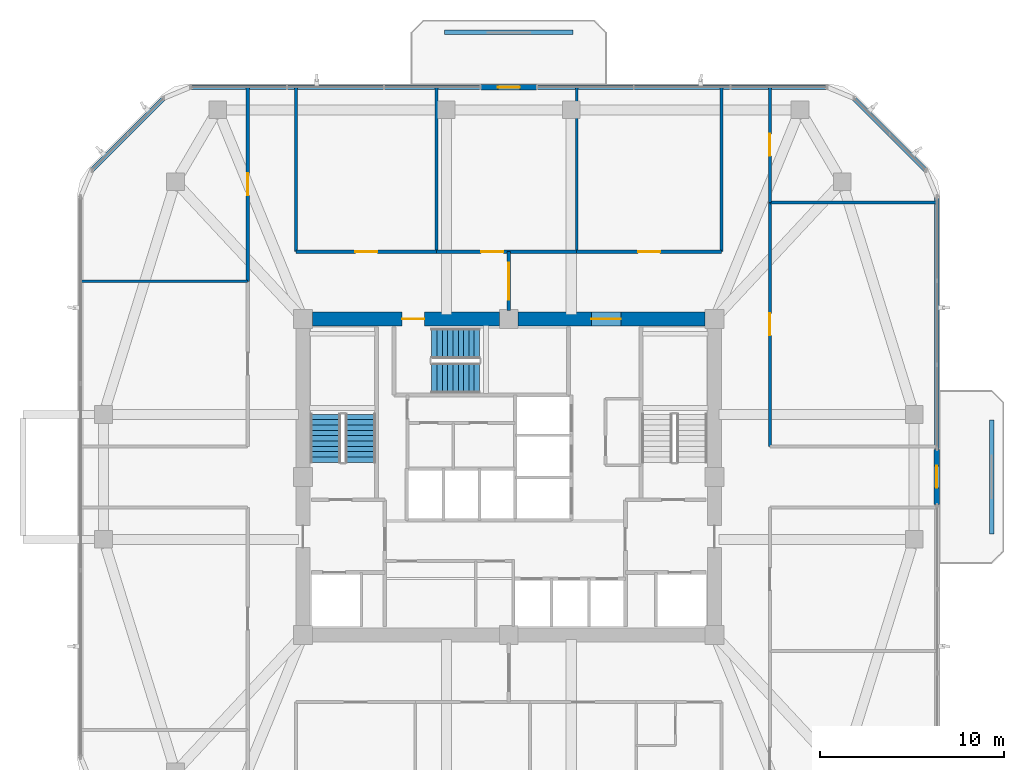
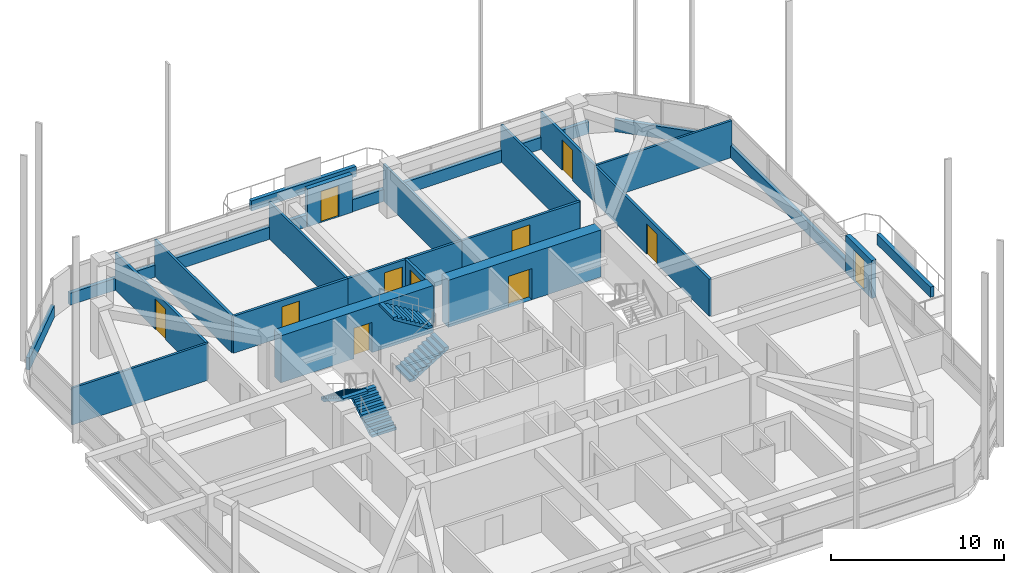
# One storey, part 10 of 14: 24 walls, 11 doors, 4 stair flights, 11 openings, 2 elements without a shape of their own.
"""IFC4 building model written with IfcOpenShell, lengths in metres."""

from ifc_helpers import new_model, si_unit, derived_unit, direction, frame, frame_2d, origin, place, context, subcontext, project, spatial, polyline, rectangle, outline, extrude, material, layer, layer_set, type_object, element, fill, aggregate, save


model = new_model("IFC4")

# Units and contexts
model_context = context("Model", 3, precision=1e-05, world=origin(), true_north=direction((0.0, 1.0)))
body_context = subcontext(model_context, "Body", "Model", "MODEL_VIEW")
ifc_project = project(units=[si_unit("LENGTHUNIT", "METRE"), si_unit("AREAUNIT", "SQUARE_METRE"), si_unit("VOLUMEUNIT", "CUBIC_METRE"), si_unit("PLANEANGLEUNIT", "RADIAN"), si_unit("MASSUNIT", "GRAM", prefix="KILO"), derived_unit("THERMALTRANSMITTANCEUNIT", [(si_unit("POWERUNIT", "WATT"), 1), (si_unit("LENGTHUNIT", "METRE"), -2), (si_unit("THERMODYNAMICTEMPERATUREUNIT", "KELVIN"), -1)])], contexts=[model_context])

# Site, building, storey
site_placement = place(None, origin())
site = spatial("IfcSite", under=ifc_project, at=site_placement, CompositionType="ELEMENT")
building_placement = place(site_placement, origin())
building = spatial("IfcBuilding", under=site, at=building_placement, Name="Koralith Skygarden Medical Center", CompositionType="ELEMENT")
storey_placement = place(building_placement, frame((0.0, 0.0, 160.02001953125)))
storey = spatial("IfcBuildingStorey", under=building, at=storey_placement, Name="L41", CompositionType="ELEMENT", Elevation=160.02001953125)

# Walls
ifc_material_1 = material(Name="Gypsum Board Partition")
ifc_layer_1 = layer(ifc_material_1, 0.14990234375)
ifc_layer_set_1 = layer_set([ifc_layer_1], Name="Gypsum Board Partition")
wall_type_1 = type_object("IfcWallType", Name="Clinical Acoustic Partition 150", PredefinedType="PARTITIONING", material=ifc_layer_set_1)
for number, where, z_axis, x_axis, name in (
    (1, (33.070068359375, 38.159912109375, 0.0), (0.0, 0.0, 1.0), (0.0, 1.0, 0.0), "L41 Clinical Acoustic Partition 150 W-PART-L41-N-01"),
    (2, (40.698974609375, 38.159912109375, 0.0), (0.0, 0.0, 1.0), (0.0, 1.0, 0.0), "L41 Clinical Acoustic Partition 150 W-PART-L41-N-02"),
):
    element("IfcWall", number, at=place(storey_placement, frame(where, z_axis=z_axis, x_axis=x_axis)), inside=storey, type_object=wall_type_1, Name=name, PredefinedType="PARTITIONING", context=body_context, shape_type="SweptSolid", body=[
        extrude(rectangle(XDim=8.940185546875, YDim=0.14990234375, at=frame_2d((4.47021484375, 0.0))), origin(), (0.0, 0.0, 1.0), 2.60986328125),
    ])
for number, where, z_axis, x_axis, name in (
    (3, (22.7900390625, 36.548095703125, 0.0), (0.0, 0.0, 1.0), (-1.0, 0.0, 0.0), "L41 Clinical Acoustic Partition 150 W-PART-L41-WN-01"),
    (4, (51.2099609375, 40.846923828125, 0.0), (0.0, 0.0, 1.0), (1.0, 0.0, 0.0), "L41 Clinical Acoustic Partition 150 W-PART-L41-EN-01"),
):
    element("IfcWall", number, at=place(storey_placement, frame(where, z_axis=z_axis, x_axis=x_axis)), inside=storey, type_object=wall_type_1, Name=name, PredefinedType="PARTITIONING", context=body_context, shape_type="SweptSolid", body=[
        extrude(rectangle(XDim=9.073974609375, YDim=0.14990234375, at=frame_2d((4.537109375, 0.0))), origin(), (0.0, 0.0, 1.0), 2.60986328125),
    ])
ifc_layer_2 = layer(ifc_material_1, 0.1650390625)
ifc_layer_set_2 = layer_set([ifc_layer_2], Name="Gypsum Board Partition")
wall_type_2 = type_object("IfcWallType", Name="Clinical Corridor Partition 165", PredefinedType="PARTITIONING", material=ifc_layer_set_2)
for number, where, z_axis, x_axis, name in (
    (5, (25.429931640625, 38.159912109375, 0.0), (0.0, 0.0, 1.0), (0.0, 1.0, 0.0), "L41 Clinical Corridor Partition 165 W-HCOR-L41-NW"),
    (6, (48.570068359375, 38.159912109375, 0.0), (0.0, 0.0, 1.0), (0.0, 1.0, 0.0), "L41 Clinical Corridor Partition 165 W-HCOR-L41-NE"),
):
    element("IfcWall", number, at=place(storey_placement, frame(where, z_axis=z_axis, x_axis=x_axis)), inside=storey, type_object=wall_type_2, Name=name, PredefinedType="PARTITIONING", context=body_context, shape_type="SweptSolid", body=[
        extrude(rectangle(XDim=8.940185546875, YDim=0.1650390625, at=frame_2d((4.47021484375, 0.0))), origin(), (0.0, 0.0, 1.0), 2.60986328125),
    ])

# Wall, opening, door
wall_1_placement = place(storey_placement, frame((25.429931640625, 38.159912109375, 0.0), z_axis=(0.0, 0.0, 1.0), x_axis=(1.0, 0.0, 0.0)))
wall_1 = element("IfcWall", 7, at=wall_1_placement, inside=storey, type_object=wall_type_2, Name="L41 Clinical Corridor Partition 165 W-CORR-L41-N-01", PredefinedType="PARTITIONING", context=body_context, shape_type="SweptSolid", body=[
    extrude(rectangle(XDim=7.64013671875, YDim=0.1650390625, at=frame_2d((3.820068359375, 0.0))), origin(), (0.0, 0.0, 1.0), 2.60986328125),
])
opening_1_placement = place(wall_1_placement, frame((3.219970703125, 0.0, 0.0)))
opening_1 = element("IfcOpeningElement", 8, at=opening_1_placement, cuts=wall_1, Name="Opening D-CLN", PredefinedType="OPENING", context=body_context, shape_type="SweptSolid", body=[
    extrude(rectangle(XDim=1.199951171875, YDim=2.14990234375, at=frame_2d((0.60009765625, 1.074951171875))), frame((0.0, 0.092529296875, 0.0), z_axis=(0.0, -1.0, 0.0), x_axis=(1.0, 0.0, 0.0)), (0.0, 0.0, 1.0), 0.18505859375),
])
ifc_material_2 = material(Name="Aluminium 6063-T6", Category="aluminium")
door_type_1 = type_object("IfcDoorType", Name="Clinical Corridor Door D-CLN 1200", OperationType="NOTDEFINED", PredefinedType="DOOR", material=ifc_material_2)
door_1_placement = place(opening_1_placement, origin())
door_1 = element("IfcDoor", 9, at=door_1_placement, inside=storey, type_object=door_type_1, Name="L41 Maternal Fetal Family Lounge 01 Door", OperationType="SINGLE_SWING_RIGHT", OverallHeight=2.14990234375, OverallWidth=1.199951171875, PredefinedType="DOOR", context=body_context, shape_type="SweptSolid", body=[
    extrude(rectangle(XDim=1.199951171875, YDim=2.14990234375, at=frame_2d((0.60009765625, 1.074951171875))), frame((0.0, 0.02490234375, 0.0), z_axis=(0.0, -1.0, 0.0), x_axis=(1.0, 0.0, 0.0)), (0.0, 0.0, 1.0), 0.050048828125),
])
fill(opening_1, door_1)

wall_2_placement = place(storey_placement, frame((33.070068359375, 38.159912109375, 0.0), z_axis=(0.0, 0.0, 1.0), x_axis=(1.0, 0.0, 0.0)))
wall_2 = element("IfcWall", 10, at=wall_2_placement, inside=storey, type_object=wall_type_2, Name="L41 Clinical Corridor Partition 165 W-CORR-L41-N-02", PredefinedType="PARTITIONING", context=body_context, shape_type="SweptSolid", body=[
    extrude(rectangle(XDim=7.62890625, YDim=0.1650390625, at=frame_2d((3.814453125, 0.0))), origin(), (0.0, 0.0, 1.0), 2.60986328125),
])
opening_2_placement = place(wall_2_placement, frame((2.430908203125, 0.0, 0.0)))
opening_2 = element("IfcOpeningElement", 11, at=opening_2_placement, cuts=wall_2, Name="Opening D-CLN", PredefinedType="OPENING", context=body_context, shape_type="SweptSolid", body=[
    extrude(rectangle(XDim=1.199951171875, YDim=2.14990234375, at=frame_2d((0.60009765625, 1.074951171875))), frame((0.0, 0.092529296875, 0.0), z_axis=(0.0, -1.0, 0.0), x_axis=(1.0, 0.0, 0.0)), (0.0, 0.0, 1.0), 0.18505859375),
])
door_2_placement = place(opening_2_placement, origin())
door_2 = element("IfcDoor", 12, at=door_2_placement, inside=storey, type_object=door_type_1, Name="L41 Patient and Family Sky-Garden Day Lounge 02 Door", OperationType="SINGLE_SWING_LEFT", OverallHeight=2.14990234375, OverallWidth=1.199951171875, PredefinedType="DOOR", context=body_context, shape_type="SweptSolid", body=[
    extrude(rectangle(XDim=1.199951171875, YDim=2.14990234375, at=frame_2d((0.60009765625, 1.074951171875))), frame((0.0, 0.02490234375, 0.0), z_axis=(0.0, -1.0, 0.0), x_axis=(1.0, 0.0, 0.0)), (0.0, 0.0, 1.0), 0.050048828125),
])
fill(opening_2, door_2)

wall_3_placement = place(storey_placement, frame((40.698974609375, 38.159912109375, 0.0), z_axis=(0.0, 0.0, 1.0), x_axis=(1.0, 0.0, 0.0)))
wall_3 = element("IfcWall", 13, at=wall_3_placement, inside=storey, type_object=wall_type_2, Name="L41 Clinical Corridor Partition 165 W-CORR-L41-N-03", PredefinedType="PARTITIONING", context=body_context, shape_type="SweptSolid", body=[
    extrude(rectangle(XDim=7.87109375, YDim=0.1650390625, at=frame_2d((3.935546875, 0.0))), origin(), (0.0, 0.0, 1.0), 2.60986328125),
])
opening_3_placement = place(wall_3_placement, frame((3.3359375, 0.0, 0.0)))
opening_3 = element("IfcOpeningElement", 14, at=opening_3_placement, cuts=wall_3, Name="Opening D-CLN", PredefinedType="OPENING", context=body_context, shape_type="SweptSolid", body=[
    extrude(rectangle(XDim=1.199951171875, YDim=2.14990234375, at=frame_2d((0.60009765625, 1.074951171875))), frame((0.0, 0.092529296875, 0.0), z_axis=(0.0, -1.0, 0.0), x_axis=(1.0, 0.0, 0.0)), (0.0, 0.0, 1.0), 0.18505859375),
])
door_3_placement = place(opening_3_placement, origin())
door_3 = element("IfcDoor", 15, at=door_3_placement, inside=storey, type_object=door_type_1, Name="L41 Perinatal Ultrasound Exam Room 03 Door", OperationType="SINGLE_SWING_RIGHT", OverallHeight=2.14990234375, OverallWidth=1.199951171875, PredefinedType="DOOR", context=body_context, shape_type="SweptSolid", body=[
    extrude(rectangle(XDim=1.199951171875, YDim=2.14990234375, at=frame_2d((0.60009765625, 1.074951171875))), frame((0.0, 0.02490234375, 0.0), z_axis=(0.0, -1.0, 0.0), x_axis=(1.0, 0.0, 0.0)), (0.0, 0.0, 1.0), 0.050048828125),
])
fill(opening_3, door_3)

wall_4_placement = place(storey_placement, frame((22.7900390625, 36.548095703125, 0.0), z_axis=(0.0, 0.0, 1.0), x_axis=(0.0, 1.0, 0.0)))
wall_4 = element("IfcWall", 16, at=wall_4_placement, inside=storey, type_object=wall_type_2, Name="L41 Clinical Corridor Partition 165 W-CORR-L41-WN-02", PredefinedType="PARTITIONING", context=body_context, shape_type="SweptSolid", body=[
    extrude(rectangle(XDim=10.552001953125, YDim=0.1650390625, at=frame_2d((5.27587890625, 0.0))), origin(), (0.0, 0.0, 1.0), 2.60986328125),
])
opening_4_placement = place(wall_4_placement, frame((4.676025390625, 0.0, 0.0)))
opening_4 = element("IfcOpeningElement", 17, at=opening_4_placement, cuts=wall_4, Name="Opening D-CLN", PredefinedType="OPENING", context=body_context, shape_type="SweptSolid", body=[
    extrude(rectangle(XDim=1.199951171875, YDim=2.14990234375, at=frame_2d((0.60009765625, 1.074951171875))), frame((0.0, 0.092529296875, 0.0), z_axis=(0.0, -1.0, 0.0), x_axis=(1.0, 0.0, 0.0)), (0.0, 0.0, 1.0), 0.18505859375),
])
door_4_placement = place(opening_4_placement, frame((1.199951171875, 0.0, 0.0), z_axis=(0.0, 0.0, 1.0), x_axis=(-1.0, 0.0, 0.0)))
door_4 = element("IfcDoor", 18, at=door_4_placement, inside=storey, type_object=door_type_1, Name="L41 Maternal Fetal Family Lounge 11 Door", OperationType="SINGLE_SWING_RIGHT", OverallHeight=2.14990234375, OverallWidth=1.199951171875, PredefinedType="DOOR", context=body_context, shape_type="SweptSolid", body=[
    extrude(rectangle(XDim=1.199951171875, YDim=2.14990234375, at=frame_2d((0.60009765625, 1.074951171875))), frame((0.0, 0.02490234375, 0.0), z_axis=(0.0, -1.0, 0.0), x_axis=(1.0, 0.0, 0.0)), (0.0, 0.0, 1.0), 0.050048828125),
])
fill(opening_4, door_4)

wall_5_placement = place(storey_placement, frame((51.2099609375, 27.56005859375, 0.0), z_axis=(0.0, 0.0, 1.0), x_axis=(0.0, 1.0, 0.0)))
wall_5 = element("IfcWall", 19, at=wall_5_placement, inside=storey, type_object=wall_type_2, Name="L41 Clinical Corridor Partition 165 W-CORR-L41-EN-01", PredefinedType="PARTITIONING", context=body_context, shape_type="SweptSolid", body=[
    extrude(rectangle(XDim=13.286865234375, YDim=0.1650390625, at=frame_2d((6.6435546875, 0.0))), origin(), (0.0, 0.0, 1.0), 2.60986328125),
])
opening_5_placement = place(wall_5_placement, frame((6.0439453125, 0.0, 0.0)))
opening_5 = element("IfcOpeningElement", 20, at=opening_5_placement, cuts=wall_5, Name="Opening D-CLN", PredefinedType="OPENING", context=body_context, shape_type="SweptSolid", body=[
    extrude(rectangle(XDim=1.199951171875, YDim=2.14990234375, at=frame_2d((0.60009765625, 1.074951171875))), frame((0.0, 0.092529296875, 0.0), z_axis=(0.0, -1.0, 0.0), x_axis=(1.0, 0.0, 0.0)), (0.0, 0.0, 1.0), 0.18505859375),
])
door_5_placement = place(opening_5_placement, origin())
door_5 = element("IfcDoor", 21, at=door_5_placement, inside=storey, type_object=door_type_1, Name="L41 Clean Nursery Supply Store 14 Door", OperationType="SINGLE_SWING_LEFT", OverallHeight=2.14990234375, OverallWidth=1.199951171875, PredefinedType="DOOR", context=body_context, shape_type="SweptSolid", body=[
    extrude(rectangle(XDim=1.199951171875, YDim=2.14990234375, at=frame_2d((0.60009765625, 1.074951171875))), frame((0.0, 0.02490234375, 0.0), z_axis=(0.0, -1.0, 0.0), x_axis=(1.0, 0.0, 0.0)), (0.0, 0.0, 1.0), 0.050048828125),
])
fill(opening_5, door_5)

wall_6_placement = place(storey_placement, frame((51.2099609375, 40.846923828125, 0.0), z_axis=(0.0, 0.0, 1.0), x_axis=(0.0, 1.0, 0.0)))
wall_6 = element("IfcWall", 22, at=wall_6_placement, inside=storey, type_object=wall_type_2, Name="L41 Clinical Corridor Partition 165 W-CORR-L41-EN-02", PredefinedType="PARTITIONING", context=body_context, shape_type="SweptSolid", body=[
    extrude(rectangle(XDim=6.253173828125, YDim=0.1650390625, at=frame_2d((3.12646484375, 0.0))), origin(), (0.0, 0.0, 1.0), 2.60986328125),
])
opening_6_placement = place(wall_6_placement, frame((2.52587890625, 0.0, 0.0)))
opening_6 = element("IfcOpeningElement", 23, at=opening_6_placement, cuts=wall_6, Name="Opening D-CLN", PredefinedType="OPENING", context=body_context, shape_type="SweptSolid", body=[
    extrude(rectangle(XDim=1.199951171875, YDim=2.14990234375, at=frame_2d((0.60009765625, 1.074951171875))), frame((0.0, 0.092529296875, 0.0), z_axis=(0.0, -1.0, 0.0), x_axis=(1.0, 0.0, 0.0)), (0.0, 0.0, 1.0), 0.18505859375),
])
door_6_placement = place(opening_6_placement, origin())
door_6 = element("IfcDoor", 24, at=door_6_placement, inside=storey, type_object=door_type_1, Name="L41 Maternal Fetal Family Lounge 15 Door", OperationType="SINGLE_SWING_RIGHT", OverallHeight=2.14990234375, OverallWidth=1.199951171875, PredefinedType="DOOR", context=body_context, shape_type="SweptSolid", body=[
    extrude(rectangle(XDim=1.199951171875, YDim=2.14990234375, at=frame_2d((0.60009765625, 1.074951171875))), frame((0.0, 0.02490234375, 0.0), z_axis=(0.0, -1.0, 0.0), x_axis=(1.0, 0.0, 0.0)), (0.0, 0.0, 1.0), 0.050048828125),
])
fill(opening_6, door_6)

ifc_layer_3 = layer(ifc_material_1, 0.179931640625)
ifc_layer_set_3 = layer_set([ifc_layer_3], Name="Gypsum Board Partition")
wall_type_3 = type_object("IfcWallType", Name="Group I-2 Smoke Barrier Wall 180", PredefinedType="PARTITIONING", material=ifc_layer_set_3)
wall_7_placement = place(storey_placement, frame((37.0, 34.949951171875, 0.0), z_axis=(0.0, 0.0, 1.0), x_axis=(0.0, 1.0, 0.0)))
wall_7 = element("IfcWall", 25, at=wall_7_placement, inside=storey, type_object=wall_type_3, Name="L41 Group I-2 Smoke Barrier Wall 180 W-SMK-L41-N", PredefinedType="PARTITIONING", context=body_context, shape_type="SweptSolid", body=[
    extrude(rectangle(XDim=3.2099609375, YDim=0.179931640625, at=frame_2d((1.60498046875, 0.0))), origin(), (0.0, 0.0, 1.0), 2.60986328125),
])
opening_7_placement = place(wall_7_placement, frame((0.60498046875, 0.0, 0.0)))
opening_7 = element("IfcOpeningElement", 26, at=opening_7_placement, cuts=wall_7, Name="Opening D-SMK", PredefinedType="OPENING", context=body_context, shape_type="SweptSolid", body=[
    extrude(rectangle(XDim=2.0, YDim=2.199951171875, at=frame_2d((1.0, 1.10009765625))), frame((0.0, 0.099853515625, 0.0), z_axis=(0.0, -1.0, 0.0), x_axis=(1.0, 0.0, 0.0)), (0.0, 0.0, 1.0), 0.199951171875),
])
ifc_material_3 = material(Name="Steel ASTM A500 Grade C", Category="steel")
door_type_2 = type_object("IfcDoorType", Name="Cross-Corridor Double Smoke Door FD60S 2000", OperationType="NOTDEFINED", PredefinedType="DOOR", material=ifc_material_3)
door_7_placement = place(opening_7_placement, origin())
door_7 = element("IfcDoor", 27, at=door_7_placement, inside=storey, type_object=door_type_2, Name="L41 N Smoke Compartment Cross-Corridor Door", OperationType="DOUBLE_DOOR_SINGLE_SWING", OverallHeight=2.199951171875, OverallWidth=2.0, PredefinedType="DOOR", context=body_context, shape_type="SweptSolid", body=[
    extrude(rectangle(XDim=2.0, YDim=2.199951171875, at=frame_2d((1.0, 1.10009765625))), frame((0.0, 0.02490234375, 0.0), z_axis=(0.0, -1.0, 0.0), x_axis=(1.0, 0.0, 0.0)), (0.0, 0.0, 1.0), 0.050048828125),
])
fill(opening_7, door_7)

# Walls
ifc_material_4 = material(Name="Warm Oolitic Limestone Cladding", Category="masonry")
ifc_layer_4 = layer(ifc_material_4, 0.239990234375)
ifc_layer_set_4 = layer_set([ifc_layer_4], Name="Warm Oolitic Limestone Cladding")
wall_type_4 = type_object("IfcWallType", Name="Limestone Spandrel Sill Backup Wall 240", PredefinedType="SOLIDWALL", material=ifc_layer_set_4)
wall_8_placement = place(storey_placement, frame((60.303955078125, 27.43994140625, 0.0), z_axis=(0.0, 0.0, 1.0), x_axis=(0.0, 1.0, 0.0)))
element("IfcWall", 28, at=wall_8_placement, inside=storey, type_object=wall_type_4, Name="L41 Sill Spandrel E-R", PredefinedType="SOLIDWALL", context=body_context, shape_type="SweptSolid", body=[
    extrude(rectangle(XDim=13.705078125, YDim=0.239990234375, at=frame_2d((6.8525390625, 0.0))), origin(), (0.0, 0.0, 1.0), 0.85009765625),
])
wall_9_placement = place(storey_placement, frame((59.702880859375, 42.595947265625, 0.0), z_axis=(0.0, 0.0, 1.0), x_axis=(-0.707084777957, 0.707128783731, 0.0)))
element("IfcWall", 29, at=wall_9_placement, inside=storey, type_object=wall_type_4, Name="L41 Sill Spandrel NE", PredefinedType="SOLIDWALL", context=body_context, shape_type="SweptSolid", body=[
    extrude(rectangle(XDim=5.5478515625, YDim=0.239990234375, at=frame_2d((2.77392578125, 0.0))), origin(), (0.0, 0.0, 1.0), 0.85009765625),
])
wall_10_placement = place(storey_placement, frame((54.3291015625, 47.1201171875, 0.0), z_axis=(0.0, 0.0, 1.0), x_axis=(-1.0, 0.0, 0.0)))
element("IfcWall", 30, at=wall_10_placement, inside=storey, type_object=wall_type_4, Name="L41 Sill Spandrel N-L", PredefinedType="SOLIDWALL", context=body_context, shape_type="SweptSolid", body=[
    extrude(rectangle(XDim=15.7880859375, YDim=0.239990234375, at=frame_2d((7.89404296875, 0.0))), origin(), (0.0, 0.0, 1.0), 0.85009765625),
])
wall_11_placement = place(storey_placement, frame((35.4609375, 47.1201171875, 0.0), z_axis=(0.0, 0.0, 1.0), x_axis=(-1.0, 0.0, 0.0)))
element("IfcWall", 31, at=wall_11_placement, inside=storey, type_object=wall_type_4, Name="L41 Sill Spandrel N-R", PredefinedType="SOLIDWALL", context=body_context, shape_type="SweptSolid", body=[
    extrude(rectangle(XDim=15.7900390625, YDim=0.239990234375, at=frame_2d((7.89501953125, 0.0))), origin(), (0.0, 0.0, 1.0), 0.85009765625),
])
wall_12_placement = place(storey_placement, frame((18.219970703125, 46.51904296875, 0.0), z_axis=(0.0, 0.0, 1.0), x_axis=(-0.707084777957, -0.707128783731, 0.0)))
element("IfcWall", 32, at=wall_12_placement, inside=storey, type_object=wall_type_4, Name="L41 Sill Spandrel NW", PredefinedType="SOLIDWALL", context=body_context, shape_type="SweptSolid", body=[
    extrude(rectangle(XDim=5.5478515625, YDim=0.239990234375, at=frame_2d((2.77392578125, 0.0))), origin(), (0.0, 0.0, 1.0), 0.85009765625),
])

# Wall, opening, door
ifc_material_5 = material(Name="Concrete C70/85", Category="concrete")
ifc_layer_5 = layer(ifc_material_5, 0.75)
ifc_layer_set_5 = layer_set([ifc_layer_5], Name="Concrete C70/85")
wall_type_5 = type_object("IfcWallType", Name="Mid Core Shear Wall 750", PredefinedType="SHEAR", material=ifc_layer_set_5)
wall_13_placement = place(storey_placement, frame((47.695068359375, 34.5, 0.0), z_axis=(0.0, 0.0, 1.0), x_axis=(-1.0, 0.0, 0.0)))
wall_13 = element("IfcWall", 33, at=wall_13_placement, inside=storey, type_object=wall_type_5, Name="L41 Core Shear Wall Segment 5", PredefinedType="SHEAR", context=body_context, shape_type="SweptSolid", body=[
    extrude(rectangle(XDim=10.190185546875, YDim=0.75, at=frame_2d((5.09521484375, 0.0))), origin(), (0.0, 0.0, 1.0), 3.320068359375),
])
opening_8_placement = place(wall_13_placement, frame((4.594970703125, 0.0, 0.0)))
opening_8 = element("IfcOpeningElement", 34, at=opening_8_placement, cuts=wall_13, Name="Opening D-DBL", PredefinedType="OPENING", context=body_context, shape_type="SweptSolid", body=[
    extrude(rectangle(XDim=1.60009765625, YDim=2.199951171875, at=frame_2d((0.800048828125, 1.10009765625))), frame((0.0, 0.385009765625, 0.0), z_axis=(0.0, -1.0, 0.0), x_axis=(1.0, 0.0, 0.0)), (0.0, 0.0, 1.0), 0.77001953125),
])
door_type_3 = type_object("IfcDoorType", Name="Double Clinical Suite Door D-DBL 1600", OperationType="NOTDEFINED", PredefinedType="DOOR", material=ifc_material_2)
door_8_placement = place(opening_8_placement, frame((1.60009765625, 0.0, 0.0), z_axis=(0.0, 0.0, 1.0), x_axis=(-1.0, 0.0, 0.0)))
door_8 = element("IfcDoor", 35, at=door_8_placement, inside=storey, type_object=door_type_3, Name="L41 North-East Corridor to Elevator Lobby Door", OperationType="DOUBLE_DOOR_SINGLE_SWING", OverallHeight=2.199951171875, OverallWidth=1.60009765625, PredefinedType="DOOR", context=body_context, shape_type="SweptSolid", body=[
    extrude(rectangle(XDim=1.60009765625, YDim=2.199951171875, at=frame_2d((0.800048828125, 1.10009765625))), frame((0.0, 0.02490234375, 0.0), z_axis=(0.0, -1.0, 0.0), x_axis=(1.0, 0.0, 0.0)), (0.0, 0.0, 1.0), 0.050048828125),
])
fill(opening_8, door_8)

wall_14_placement = place(storey_placement, frame((36.4951171875, 34.5, 0.0), z_axis=(0.0, 0.0, 1.0), x_axis=(-1.0, 0.0, 0.0)))
wall_14 = element("IfcWall", 36, at=wall_14_placement, inside=storey, type_object=wall_type_5, Name="L41 Core Shear Wall Segment 6", PredefinedType="SHEAR", context=body_context, shape_type="SweptSolid", body=[
    extrude(rectangle(XDim=10.190185546875, YDim=0.75, at=frame_2d((5.09521484375, 0.0))), origin(), (0.0, 0.0, 1.0), 3.320068359375),
])
opening_9_placement = place(wall_14_placement, frame((4.094970703125, 0.0, 0.0)))
opening_9 = element("IfcOpeningElement", 37, at=opening_9_placement, cuts=wall_14, Name="Opening D-ST60", PredefinedType="OPENING", context=body_context, shape_type="SweptSolid", body=[
    extrude(rectangle(XDim=1.199951171875, YDim=2.14990234375, at=frame_2d((0.60009765625, 1.074951171875))), frame((0.0, 0.385009765625, 0.0), z_axis=(0.0, -1.0, 0.0), x_axis=(1.0, 0.0, 0.0)), (0.0, 0.0, 1.0), 0.77001953125),
])
door_type_4 = type_object("IfcDoorType", Name="Smokeproof Stair Fire Door FD60S 1200", OperationType="NOTDEFINED", PredefinedType="DOOR", material=ifc_material_3)
door_9_placement = place(opening_9_placement, frame((1.199951171875, 0.0, 0.0), z_axis=(0.0, 0.0, 1.0), x_axis=(-1.0, 0.0, 0.0)))
door_9 = element("IfcDoor", 38, at=door_9_placement, inside=storey, type_object=door_type_4, Name="L41 Exit Stair ST3 Fire Door", OperationType="SINGLE_SWING_LEFT", OverallHeight=2.14990234375, OverallWidth=1.199951171875, PredefinedType="DOOR", context=body_context, shape_type="SweptSolid", body=[
    extrude(rectangle(XDim=1.199951171875, YDim=2.14990234375, at=frame_2d((0.60009765625, 1.074951171875))), frame((0.0, 0.02490234375, 0.0), z_axis=(0.0, -1.0, 0.0), x_axis=(1.0, 0.0, 0.0)), (0.0, 0.0, 1.0), 0.050048828125),
])
fill(opening_9, door_9)

ifc_layer_6 = layer(ifc_material_4, 0.300048828125)
ifc_layer_set_6 = layer_set([ifc_layer_6], Name="Warm Oolitic Limestone Cladding")
wall_type_6 = type_object("IfcWallType", Name="Oolitic Limestone Insulated Facade Wall 300", PredefinedType="SOLIDWALL", material=ifc_layer_set_6)
wall_15_placement = place(storey_placement, frame((60.303955078125, 24.39990234375, 0.0), z_axis=(0.0, 0.0, 1.0), x_axis=(0.0, 1.0, 0.0)))
wall_15 = element("IfcWall", 39, at=wall_15_placement, inside=storey, type_object=wall_type_6, Name="L41 Terrace Portal Wall E", PredefinedType="SOLIDWALL", context=body_context, shape_type="SweptSolid", body=[
    extrude(rectangle(XDim=3.0, YDim=0.300048828125, at=frame_2d((1.5, 0.0))), origin(), (0.0, 0.0, 1.0), 2.669921875),
])
opening_10_placement = place(wall_15_placement, frame((0.89990234375, 0.0, 0.0)))
opening_10 = element("IfcOpeningElement", 40, at=opening_10_placement, cuts=wall_15, Name="Opening D-BAL", PredefinedType="OPENING", context=body_context, shape_type="SweptSolid", body=[
    extrude(rectangle(XDim=1.199951171875, YDim=2.199951171875, at=frame_2d((0.60009765625, 1.10009765625))), frame((0.0, 0.159912109375, 0.0), z_axis=(0.0, -1.0, 0.0), x_axis=(1.0, 0.0, 0.0)), (0.0, 0.0, 1.0), 0.320068359375),
])
door_type_5 = type_object("IfcDoorType", Name="Planted Balcony Glazed Terrace Door D-BAL 1200", OperationType="NOTDEFINED", PredefinedType="DOOR", material=ifc_material_2)
door_10_placement = place(opening_10_placement, origin())
door_10 = element("IfcDoor", 41, at=door_10_placement, inside=storey, type_object=door_type_5, Name="L41 E Outdoor Terrace Access Door", OperationType="SINGLE_SWING_RIGHT", OverallHeight=2.199951171875, OverallWidth=1.199951171875, PredefinedType="DOOR", context=body_context, shape_type="SweptSolid", body=[
    extrude(rectangle(XDim=1.199951171875, YDim=2.199951171875, at=frame_2d((0.60009765625, 1.10009765625))), frame((0.0, 0.02490234375, 0.0), z_axis=(0.0, -1.0, 0.0), x_axis=(1.0, 0.0, 0.0)), (0.0, 0.0, 1.0), 0.050048828125),
])
fill(opening_10, door_10)

wall_16_placement = place(storey_placement, frame((38.5009765625, 47.1201171875, 0.0), z_axis=(0.0, 0.0, 1.0), x_axis=(-1.0, 0.0, 0.0)))
wall_16 = element("IfcWall", 42, at=wall_16_placement, inside=storey, type_object=wall_type_6, Name="L41 Terrace Portal Wall N", PredefinedType="SOLIDWALL", context=body_context, shape_type="SweptSolid", body=[
    extrude(rectangle(XDim=3.0, YDim=0.300048828125, at=frame_2d((1.5, 0.0))), origin(), (0.0, 0.0, 1.0), 2.669921875),
])
opening_11_placement = place(wall_16_placement, frame((0.89990234375, 0.0, 0.0)))
opening_11 = element("IfcOpeningElement", 43, at=opening_11_placement, cuts=wall_16, Name="Opening D-BAL", PredefinedType="OPENING", context=body_context, shape_type="SweptSolid", body=[
    extrude(rectangle(XDim=1.199951171875, YDim=2.199951171875, at=frame_2d((0.60009765625, 1.10009765625))), frame((0.0, 0.159912109375, 0.0), z_axis=(0.0, -1.0, 0.0), x_axis=(1.0, 0.0, 0.0)), (0.0, 0.0, 1.0), 0.320068359375),
])
door_11_placement = place(opening_11_placement, origin())
door_11 = element("IfcDoor", 44, at=door_11_placement, inside=storey, type_object=door_type_5, Name="L41 N Outdoor Terrace Access Door", OperationType="SINGLE_SWING_RIGHT", OverallHeight=2.199951171875, OverallWidth=1.199951171875, PredefinedType="DOOR", context=body_context, shape_type="SweptSolid", body=[
    extrude(rectangle(XDim=1.199951171875, YDim=2.199951171875, at=frame_2d((0.60009765625, 1.10009765625))), frame((0.0, 0.02490234375, 0.0), z_axis=(0.0, -1.0, 0.0), x_axis=(1.0, 0.0, 0.0)), (0.0, 0.0, 1.0), 0.050048828125),
])
fill(opening_11, door_11)

# Walls
ifc_material_6 = material(Name="Precast concrete C40/50", Category="concrete")
ifc_layer_7 = layer(ifc_material_6, 0.25)
ifc_layer_set_7 = layer_set([ifc_layer_7], Name="Precast concrete C40/50")
wall_type_7 = type_object("IfcWallType", Name="Structural Concrete Balcony Planter Kerb 250", PredefinedType="PARAPET", material=ifc_layer_set_7)
wall_17_placement = place(storey_placement, frame((33.5, 50.10009765625, 0.0), z_axis=(0.0, 0.0, 1.0), x_axis=(1.0, 0.0, 0.0)))
element("IfcWall", 45, at=wall_17_placement, inside=storey, type_object=wall_type_7, Name="L41 N Structural Tree PLANTER Box", PredefinedType="PARAPET", context=body_context, shape_type="SweptSolid", body=[
    extrude(rectangle(XDim=7.0, YDim=0.25, at=frame_2d((3.5, 0.0))), origin(), (0.0, 0.0, 1.0), 0.719970703125),
])
wall_18_placement = place(storey_placement, frame((63.283935546875, 22.800048828125, 0.0), z_axis=(0.0, 0.0, 1.0), x_axis=(0.0, 1.0, 0.0)))
element("IfcWall", 46, at=wall_18_placement, inside=storey, type_object=wall_type_7, Name="L41 E Structural Tree PLANTER Box", PredefinedType="PARAPET", context=body_context, shape_type="SweptSolid", body=[
    extrude(rectangle(XDim=6.199951171875, YDim=0.25, at=frame_2d((3.10009765625, 0.0))), origin(), (0.0, 0.0, 1.0), 0.719970703125),
])

# Stair, stair flights
ifc_material_7 = material(Name="Concrete C45/55", Category="concrete")
stair_type = type_object("IfcStairType", Name="Core Exit Dogleg Concrete Stair", PredefinedType="HALF_TURN_STAIR", material=ifc_material_7)
stair_1_placement = place(storey_placement, origin())
stair_1 = element("IfcStair", 47, at=stair_1_placement, inside=storey, type_object=stair_type, Name="L41 Smokeproof Exit Stair ST1", PredefinedType="HALF_TURN_STAIR")
stair_flight_type = type_object("IfcStairFlightType", Name="Core Exit Concrete Stair Flight 1650", PredefinedType="STRAIGHT", material=ifc_material_7)
stair_flight_1_placement = place(storey_placement, frame((28.925048828125, 26.699951171875, 0.0), z_axis=(0.0, 0.0, 1.0), x_axis=(0.0, 1.0, 0.0)))
stair_flight_1 = element("IfcStairFlight", 48, at=stair_flight_1_placement, type_object=stair_flight_type, Name="ST1 flight 1", NumberOfRisers=10, NumberOfTreads=9, PredefinedType="STRAIGHT", RiserHeight=0.18, TreadLength=0.29, context=body_context, shape_type="SweptSolid", body=[
    extrude(outline(polyline([(0.0, 0.0), (0.0, 0.179931640625), (0.2900390625, 0.179931640625), (0.2900390625, 0.360107421875), (0.580078125, 0.360107421875), (0.580078125, 0.5400390625), (0.8701171875, 0.5400390625), (0.8701171875, 0.719970703125), (1.159912109375, 0.719970703125), (1.159912109375, 0.89990234375), (1.449951171875, 0.89990234375), (1.449951171875, 1.080078125), (1.739990234375, 1.080078125), (1.739990234375, 1.260009765625), (2.030029296875, 1.260009765625), (2.030029296875, 1.43994140625), (2.320068359375, 1.43994140625), (2.320068359375, 1.6201171875), (2.610107421875, 1.6201171875), (2.610107421875, 1.800048828125), (2.610107421875, 1.443603515625), (0.2841796875, 0.0), (0.0, 0.0)])), frame((0.0, 0.824951171875, 0.0), z_axis=(0.0, -1.0, 0.0), x_axis=(1.0, 0.0, 0.0)), (0.0, 0.0, 1.0), 1.64990234375),
])
stair_flight_2_placement = place(storey_placement, frame((27.02490234375, 29.31005859375, 1.800048828125), z_axis=(0.0, 0.0, 1.0), x_axis=(0.0, -1.0, 0.0)))
stair_flight_2 = element("IfcStairFlight", 49, at=stair_flight_2_placement, type_object=stair_flight_type, Name="ST1 flight 2", NumberOfRisers=10, NumberOfTreads=9, PredefinedType="STRAIGHT", RiserHeight=0.18, TreadLength=0.29, context=body_context, shape_type="SweptSolid", body=[
    extrude(outline(polyline([(0.0, 0.0), (0.0, 0.179931640625), (0.2900390625, 0.179931640625), (0.2900390625, 0.360107421875), (0.580078125, 0.360107421875), (0.580078125, 0.5400390625), (0.8701171875, 0.5400390625), (0.8701171875, 0.719970703125), (1.159912109375, 0.719970703125), (1.159912109375, 0.89990234375), (1.449951171875, 0.89990234375), (1.449951171875, 1.080078125), (1.739990234375, 1.080078125), (1.739990234375, 1.260009765625), (2.030029296875, 1.260009765625), (2.030029296875, 1.43994140625), (2.320068359375, 1.43994140625), (2.320068359375, 1.6201171875), (2.610107421875, 1.6201171875), (2.610107421875, 1.800048828125), (2.610107421875, 1.443603515625), (0.2841796875, 0.0), (0.0, 0.0)])), frame((0.0, 0.824951171875, 0.0), z_axis=(0.0, -1.0, 0.0), x_axis=(1.0, 0.0, 0.0)), (0.0, 0.0, 1.0), 1.64990234375),
])
aggregate(stair_1, [stair_flight_1, stair_flight_2])

stair_2_placement = place(storey_placement, origin())
stair_2 = element("IfcStair", 50, at=stair_2_placement, inside=storey, type_object=stair_type, Name="L41 Smokeproof Exit Stair ST3", PredefinedType="HALF_TURN_STAIR")
stair_flight_3_placement = place(storey_placement, frame((32.800048828125, 31.27490234375, 0.0), z_axis=(0.0, 0.0, 1.0), x_axis=(1.0, 0.0, 0.0)))
stair_flight_3 = element("IfcStairFlight", 51, at=stair_flight_3_placement, type_object=stair_flight_type, Name="ST3 flight 1", NumberOfRisers=10, NumberOfTreads=9, PredefinedType="STRAIGHT", RiserHeight=0.18, TreadLength=0.29, context=body_context, shape_type="SweptSolid", body=[
    extrude(outline(polyline([(0.0, 0.0), (0.0, 0.179931640625), (0.2900390625, 0.179931640625), (0.2900390625, 0.360107421875), (0.580078125, 0.360107421875), (0.580078125, 0.5400390625), (0.8701171875, 0.5400390625), (0.8701171875, 0.719970703125), (1.159912109375, 0.719970703125), (1.159912109375, 0.89990234375), (1.449951171875, 0.89990234375), (1.449951171875, 1.080078125), (1.739990234375, 1.080078125), (1.739990234375, 1.260009765625), (2.030029296875, 1.260009765625), (2.030029296875, 1.43994140625), (2.320068359375, 1.43994140625), (2.320068359375, 1.6201171875), (2.610107421875, 1.6201171875), (2.610107421875, 1.800048828125), (2.610107421875, 1.443603515625), (0.2841796875, 0.0), (0.0, 0.0)])), frame((0.0, 0.824951171875, 0.0), z_axis=(0.0, -1.0, 0.0), x_axis=(1.0, 0.0, 0.0)), (0.0, 0.0, 1.0), 1.64990234375),
])
stair_flight_4_placement = place(storey_placement, frame((35.409912109375, 33.175048828125, 1.800048828125), z_axis=(0.0, 0.0, 1.0), x_axis=(-1.0, 0.0, 0.0)))
stair_flight_4 = element("IfcStairFlight", 52, at=stair_flight_4_placement, type_object=stair_flight_type, Name="ST3 flight 2", NumberOfRisers=10, NumberOfTreads=9, PredefinedType="STRAIGHT", RiserHeight=0.18, TreadLength=0.29, context=body_context, shape_type="SweptSolid", body=[
    extrude(outline(polyline([(0.0, 0.0), (0.0, 0.179931640625), (0.2900390625, 0.179931640625), (0.2900390625, 0.360107421875), (0.580078125, 0.360107421875), (0.580078125, 0.5400390625), (0.8701171875, 0.5400390625), (0.8701171875, 0.719970703125), (1.159912109375, 0.719970703125), (1.159912109375, 0.89990234375), (1.449951171875, 0.89990234375), (1.449951171875, 1.080078125), (1.739990234375, 1.080078125), (1.739990234375, 1.260009765625), (2.030029296875, 1.260009765625), (2.030029296875, 1.43994140625), (2.320068359375, 1.43994140625), (2.320068359375, 1.6201171875), (2.610107421875, 1.6201171875), (2.610107421875, 1.800048828125), (2.610107421875, 1.443603515625), (0.2841796875, 0.0), (0.0, 0.0)])), frame((0.0, 0.824951171875, 0.0), z_axis=(0.0, -1.0, 0.0), x_axis=(1.0, 0.0, 0.0)), (0.0, 0.0, 1.0), 1.64990234375),
])
aggregate(stair_2, [stair_flight_3, stair_flight_4])

save(model, "model.ifc")
